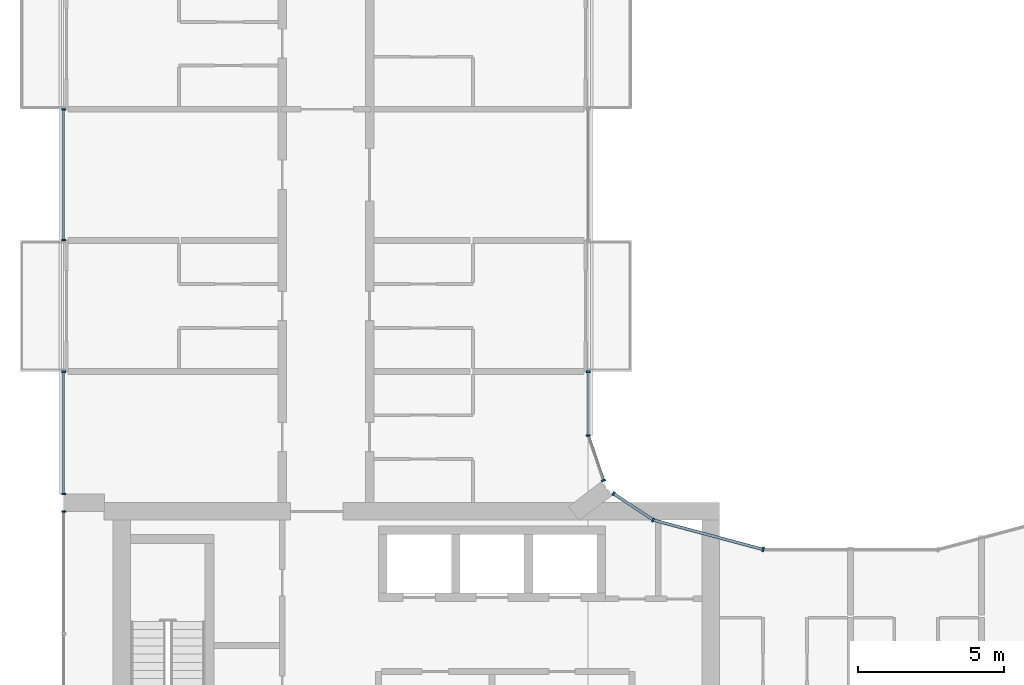
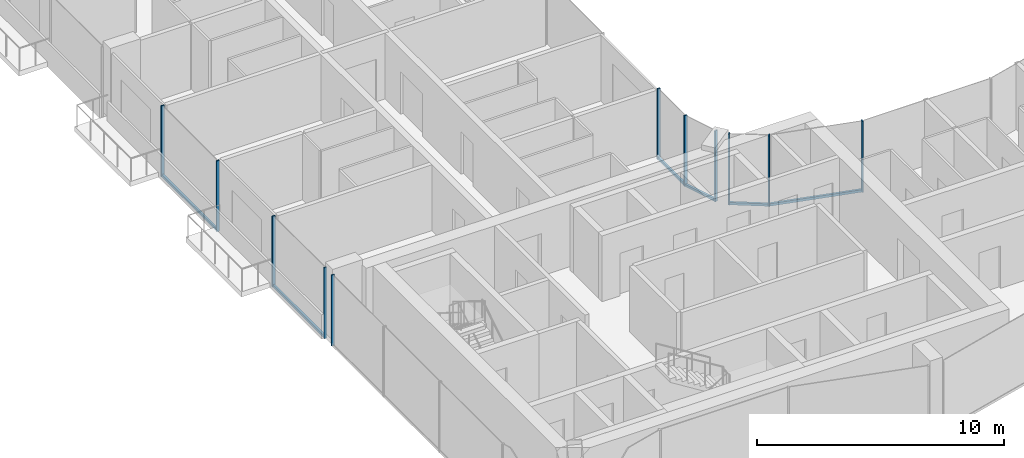
# One storey, part 4 of 16: 17 members, 7 elements without a shape of their own.
"""IFC4 building model written with IfcOpenShell, lengths in metres."""

from ifc_helpers import new_model, si_unit, direction, frame, origin, origin_2d, place, context, subcontext, project, spatial, rectangle, extrude, material, layer, layer_set, material_profile, profile_set, type_object, element, aggregate, save


model = new_model("IFC4")

# Units and contexts
model_context = context("Model", 3, precision=1e-05, world=origin(), true_north=direction((0.0, 1.0)))
body_context = subcontext(model_context, "Body", "Model", "MODEL_VIEW")
ifc_project = project(units=[si_unit("LENGTHUNIT", "METRE"), si_unit("AREAUNIT", "SQUARE_METRE"), si_unit("VOLUMEUNIT", "CUBIC_METRE"), si_unit("PLANEANGLEUNIT", "RADIAN"), si_unit("MASSUNIT", "GRAM", prefix="KILO")], contexts=[model_context])

# Site, building, storey
site_placement = place(None, origin())
site = spatial("IfcSite", under=ifc_project, at=site_placement, CompositionType="ELEMENT")
building_placement = place(site_placement, origin())
building = spatial("IfcBuilding", under=site, at=building_placement, Name="Plateau Cross Towers", CompositionType="ELEMENT")
storey_placement = place(building_placement, frame((0.0, 0.0, 160.39990234375)))
storey = spatial("IfcBuildingStorey", under=building, at=storey_placement, Name="L41", CompositionType="ELEMENT", Elevation=160.39990234375)

# Curtain wall, members
ifc_material_1 = material(Name="Dark low-iron glass", Category="glass")
ifc_layer_1 = layer(ifc_material_1, 0.239990234375)
ifc_layer_set_1 = layer_set([ifc_layer_1], Name="Dark low-iron glass")
curtain_wall_type_1 = type_object("IfcCurtainWallType", Name="Curtain wall flush unitised CW-B", PredefinedType="NOTDEFINED", material=ifc_layer_set_1)
curtain_wall_1_placement = place(storey_placement, origin())
curtain_wall_1 = element("IfcCurtainWall", 1, at=curtain_wall_1_placement, inside=storey, type_object=curtain_wall_type_1, Name="ENV/A/L41/A202_174", PredefinedType="NOTDEFINED")
ifc_material_2 = material(Name="Black anodised aluminium", Category="aluminium")
ifc_material_profile_1 = material_profile(ifc_material_2, rectangle(XDim=0.06005859375, YDim=0.139892578125, at=origin_2d()), Name="MULLION 60x140")
ifc_profile_set_1 = profile_set([ifc_material_profile_1], Name="Black anodised aluminium")
member_type_1 = type_object("IfcMemberType", Name="Mullion 60x140 flush unitised", PredefinedType="MULLION", material=ifc_profile_set_1)
member_1_placement = place(storey_placement, frame((20.223876953125, 17.404296875, -0.25), z_axis=(0.0, 0.0, 1.0), x_axis=(-0.831521253329, 0.555492938984, 0.0)))
member_1 = element("IfcMember", 2, at=member_1_placement, type_object=member_type_1, Name="CW-B mullion 1", PredefinedType="MULLION", context=body_context, shape_type="SweptSolid", body=[
    extrude(rectangle(XDim=0.06005859375, YDim=0.139892578125, at=origin_2d()), origin(), (0.0, 0.0, 1.0), 3.5),
])
member_2_placement = place(storey_placement, frame((18.86962890625, 18.30908203125, -0.25), z_axis=(0.0, 0.0, 1.0), x_axis=(-0.831521253329, 0.555492938984, 0.0)))
member_2 = element("IfcMember", 3, at=member_2_placement, type_object=member_type_1, Name="CW-B mullion 2", PredefinedType="MULLION", context=body_context, shape_type="SweptSolid", body=[
    extrude(rectangle(XDim=0.06005859375, YDim=0.139892578125, at=origin_2d()), origin(), (0.0, 0.0, 1.0), 3.5),
])

# Curtain wall, member
curtain_wall_2_placement = place(storey_placement, origin())
curtain_wall_2 = element("IfcCurtainWall", 4, at=curtain_wall_2_placement, inside=storey, type_object=curtain_wall_type_1, Name="ENV/A/L41/A185_188", PredefinedType="NOTDEFINED")
member_3_placement = place(storey_placement, frame((18.523681640625, 18.760009765625, -0.25), z_axis=(0.0, 0.0, 1.0), x_axis=(-0.321469161574, 0.94692004845, 0.0)))
member_3 = element("IfcMember", 5, at=member_3_placement, type_object=member_type_1, Name="CW-B mullion 1", PredefinedType="MULLION", context=body_context, shape_type="SweptSolid", body=[
    extrude(rectangle(XDim=0.06005859375, YDim=0.139892578125, at=origin_2d()), origin(), (0.0, 0.0, 1.0), 3.5),
])

# Curtain wall, members
curtain_wall_3_placement = place(storey_placement, origin())
curtain_wall_3 = element("IfcCurtainWall", 6, at=curtain_wall_3_placement, inside=storey, type_object=curtain_wall_type_1, Name="ENV/A/L41/A180_203", PredefinedType="NOTDEFINED")
member_4_placement = place(storey_placement, frame((18.0, 20.30224609375, -0.25), z_axis=(0.0, 0.0, 1.0), x_axis=(0.0, 1.0, 0.0)))
member_4 = element("IfcMember", 7, at=member_4_placement, type_object=member_type_1, Name="CW-B mullion 1", PredefinedType="MULLION", context=body_context, shape_type="SweptSolid", body=[
    extrude(rectangle(XDim=0.06005859375, YDim=0.139892578125, at=origin_2d()), origin(), (0.0, 0.0, 1.0), 3.5),
])
member_5_placement = place(storey_placement, frame((18.0, 22.489990234375, -0.25), z_axis=(0.0, 0.0, 1.0), x_axis=(0.0, 1.0, 0.0)))
member_5 = element("IfcMember", 8, at=member_5_placement, type_object=member_type_1, Name="CW-B mullion 2", PredefinedType="MULLION", context=body_context, shape_type="SweptSolid", body=[
    extrude(rectangle(XDim=0.06005859375, YDim=0.139892578125, at=origin_2d()), origin(), (0.0, 0.0, 1.0), 3.5),
])

curtain_wall_4_placement = place(storey_placement, origin())
curtain_wall_4 = element("IfcCurtainWall", 9, at=curtain_wall_4_placement, inside=storey, type_object=curtain_wall_type_1, Name="ENV/A/L41/A0_315", PredefinedType="NOTDEFINED")
member_6_placement = place(storey_placement, frame((0.0, 31.489990234375, -0.25), z_axis=(0.0, 0.0, 1.0), x_axis=(0.0, -1.0, 0.0)))
member_6 = element("IfcMember", 10, at=member_6_placement, type_object=member_type_1, Name="CW-B mullion 1", PredefinedType="MULLION", context=body_context, shape_type="SweptSolid", body=[
    extrude(rectangle(XDim=0.06005859375, YDim=0.139892578125, at=origin_2d()), origin(), (0.0, 0.0, 1.0), 3.5),
])
member_7_placement = place(storey_placement, frame((0.0, 27.010009765625, -0.25), z_axis=(0.0, 0.0, 1.0), x_axis=(0.0, -1.0, 0.0)))
member_7 = element("IfcMember", 11, at=member_7_placement, type_object=member_type_1, Name="CW-B mullion 2", PredefinedType="MULLION", context=body_context, shape_type="SweptSolid", body=[
    extrude(rectangle(XDim=0.06005859375, YDim=0.139892578125, at=origin_2d()), origin(), (0.0, 0.0, 1.0), 3.5),
])

curtain_wall_5_placement = place(storey_placement, origin())
curtain_wall_5 = element("IfcCurtainWall", 12, at=curtain_wall_5_placement, inside=storey, type_object=curtain_wall_type_1, Name="ENV/A/L41/A0_225", PredefinedType="NOTDEFINED")
member_8_placement = place(storey_placement, frame((0.0, 22.489990234375, -0.25), z_axis=(0.0, 0.0, 1.0), x_axis=(0.0, -1.0, 0.0)))
member_8 = element("IfcMember", 13, at=member_8_placement, type_object=member_type_1, Name="CW-B mullion 1", PredefinedType="MULLION", context=body_context, shape_type="SweptSolid", body=[
    extrude(rectangle(XDim=0.06005859375, YDim=0.139892578125, at=origin_2d()), origin(), (0.0, 0.0, 1.0), 3.5),
])
member_9_placement = place(storey_placement, frame((0.0, 18.300048828125, -0.25), z_axis=(0.0, 0.0, 1.0), x_axis=(0.0, -1.0, 0.0)))
member_9 = element("IfcMember", 14, at=member_9_placement, type_object=member_type_1, Name="CW-B mullion 2", PredefinedType="MULLION", context=body_context, shape_type="SweptSolid", body=[
    extrude(rectangle(XDim=0.06005859375, YDim=0.139892578125, at=origin_2d()), origin(), (0.0, 0.0, 1.0), 3.5),
])

# Curtain wall, member
curtain_wall_6_placement = place(storey_placement, origin())
curtain_wall_6 = element("IfcCurtainWall", 15, at=curtain_wall_6_placement, inside=storey, type_object=curtain_wall_type_1, Name="ENV/A/L41/A0_177", PredefinedType="NOTDEFINED")
member_10_placement = place(storey_placement, frame((0.0, 17.699951171875, -0.25), z_axis=(0.0, 0.0, 1.0), x_axis=(0.0, -1.0, 0.0)))
member_10 = element("IfcMember", 16, at=member_10_placement, type_object=member_type_1, Name="CW-B mullion 1", PredefinedType="MULLION", context=body_context, shape_type="SweptSolid", body=[
    extrude(rectangle(XDim=0.06005859375, YDim=0.139892578125, at=origin_2d()), origin(), (0.0, 0.0, 1.0), 3.5),
])
aggregate(curtain_wall_6, [member_10])

ifc_layer_2 = layer(ifc_material_1, 0.260009765625)
ifc_layer_set_2 = layer_set([ifc_layer_2], Name="Dark low-iron glass")
curtain_wall_type_2 = type_object("IfcCurtainWallType", Name="Curtain wall fluted unitised CW-A", PredefinedType="NOTDEFINED", material=ifc_layer_set_2)
curtain_wall_7_placement = place(storey_placement, origin())
curtain_wall_7 = element("IfcCurtainWall", 17, at=curtain_wall_7_placement, inside=storey, type_object=curtain_wall_type_2, Name="ENV/A/L41/A240_164", PredefinedType="NOTDEFINED")
ifc_material_profile_2 = material_profile(ifc_material_2, rectangle(XDim=0.06005859375, YDim=0.159912109375, at=origin_2d()), Name="MULLION 60x160")
ifc_profile_set_2 = profile_set([ifc_material_profile_2], Name="Black anodised aluminium")
member_type_2 = type_object("IfcMemberType", Name="Mullion 60x160 fluted unitised", PredefinedType="MULLION", material=ifc_profile_set_2)
member_11_placement = place(storey_placement, frame((24.0, 16.39306640625, -0.25), z_axis=(0.0, 0.0, 1.0), x_axis=(-0.965957995816, 0.258698956933, 0.0)))
member_11 = element("IfcMember", 18, at=member_11_placement, type_object=member_type_2, Name="CW-A mullion 1", PredefinedType="MULLION", context=body_context, shape_type="SweptSolid", body=[
    extrude(rectangle(XDim=0.06005859375, YDim=0.159912109375, at=origin_2d()), origin(), (0.0, 0.0, 1.0), 3.5),
])

# Member
ifc_material_profile_3 = material_profile(ifc_material_2, rectangle(XDim=0.10009765625, YDim=0.1201171875, at=origin_2d()), Name="TRANSOM 100x120")
ifc_profile_set_3 = profile_set([ifc_material_profile_3], Name="Black anodised aluminium")
member_type_3 = type_object("IfcMemberType", Name="Transom 100x120 flush unitised", PredefinedType="USERDEFINED", material=ifc_profile_set_3)
member_12_placement = place(storey_placement, frame((20.223876953125, 17.404296875, -0.18994140625), z_axis=(-0.831496402487, 0.555530136582, 0.0), x_axis=(-0.555530136582, -0.831496402487, 0.0)))
member_12 = element("IfcMember", 19, at=member_12_placement, type_object=member_type_3, Name="CW-B transom", ObjectType="TRANSOM", PredefinedType="USERDEFINED", context=body_context, shape_type="SweptSolid", body=[
    extrude(rectangle(XDim=0.10009765625, YDim=0.1201171875, at=origin_2d()), origin(), (0.0, 0.0, 1.0), 1.628662109375),
])

aggregate(curtain_wall_1, [member_1, member_2, member_12])

member_13_placement = place(storey_placement, frame((18.523681640625, 18.760009765625, -0.18994140625), z_axis=(-0.321529174838, 0.946899672472, 0.0), x_axis=(-0.946899672472, -0.321529174838, 0.0)))
member_13 = element("IfcMember", 20, at=member_13_placement, type_object=member_type_3, Name="CW-B transom", ObjectType="TRANSOM", PredefinedType="USERDEFINED", context=body_context, shape_type="SweptSolid", body=[
    extrude(rectangle(XDim=0.10009765625, YDim=0.1201171875, at=origin_2d()), origin(), (0.0, 0.0, 1.0), 1.628662109375),
])

aggregate(curtain_wall_2, [member_3, member_13])

member_14_placement = place(storey_placement, frame((18.0, 20.30224609375, -0.18994140625), z_axis=(0.0, 1.0, 0.0), x_axis=(-1.0, 0.0, 0.0)))
member_14 = element("IfcMember", 21, at=member_14_placement, type_object=member_type_3, Name="CW-B transom", ObjectType="TRANSOM", PredefinedType="USERDEFINED", context=body_context, shape_type="SweptSolid", body=[
    extrude(rectangle(XDim=0.10009765625, YDim=0.1201171875, at=origin_2d()), origin(), (0.0, 0.0, 1.0), 2.187744140625),
])

aggregate(curtain_wall_3, [member_4, member_5, member_14])

member_15_placement = place(storey_placement, frame((0.0, 31.489990234375, -0.18994140625), z_axis=(0.0, -1.0, 0.0), x_axis=(1.0, 0.0, 0.0)))
member_15 = element("IfcMember", 22, at=member_15_placement, type_object=member_type_3, Name="CW-B transom", ObjectType="TRANSOM", PredefinedType="USERDEFINED", context=body_context, shape_type="SweptSolid", body=[
    extrude(rectangle(XDim=0.10009765625, YDim=0.1201171875, at=origin_2d()), origin(), (0.0, 0.0, 1.0), 4.47998046875),
])

aggregate(curtain_wall_4, [member_6, member_7, member_15])

member_16_placement = place(storey_placement, frame((0.0, 22.489990234375, -0.18994140625), z_axis=(0.0, -1.0, 0.0), x_axis=(1.0, 0.0, 0.0)))
member_16 = element("IfcMember", 23, at=member_16_placement, type_object=member_type_3, Name="CW-B transom", ObjectType="TRANSOM", PredefinedType="USERDEFINED", context=body_context, shape_type="SweptSolid", body=[
    extrude(rectangle(XDim=0.10009765625, YDim=0.1201171875, at=origin_2d()), origin(), (0.0, 0.0, 1.0), 4.18994140625),
])

aggregate(curtain_wall_5, [member_8, member_9, member_16])

ifc_material_profile_4 = material_profile(ifc_material_2, rectangle(XDim=0.10009765625, YDim=0.1201171875, at=origin_2d()), Name="TRANSOM 100x120")
ifc_profile_set_4 = profile_set([ifc_material_profile_4], Name="Black anodised aluminium")
member_type_4 = type_object("IfcMemberType", Name="Transom 100x120 fluted unitised", PredefinedType="USERDEFINED", material=ifc_profile_set_4)
member_17_placement = place(storey_placement, frame((24.0, 16.39306640625, -0.18994140625), z_axis=(-0.965962822393, 0.25868093427, 0.0), x_axis=(-0.25868093427, -0.965962822393, 0.0)))
member_17 = element("IfcMember", 24, at=member_17_placement, type_object=member_type_4, Name="CW-A transom", ObjectType="TRANSOM", PredefinedType="USERDEFINED", context=body_context, shape_type="SweptSolid", body=[
    extrude(rectangle(XDim=0.10009765625, YDim=0.1201171875, at=origin_2d()), origin(), (0.0, 0.0, 1.0), 3.9091796875),
])

aggregate(curtain_wall_7, [member_11, member_17])

save(model, "model.ifc")
